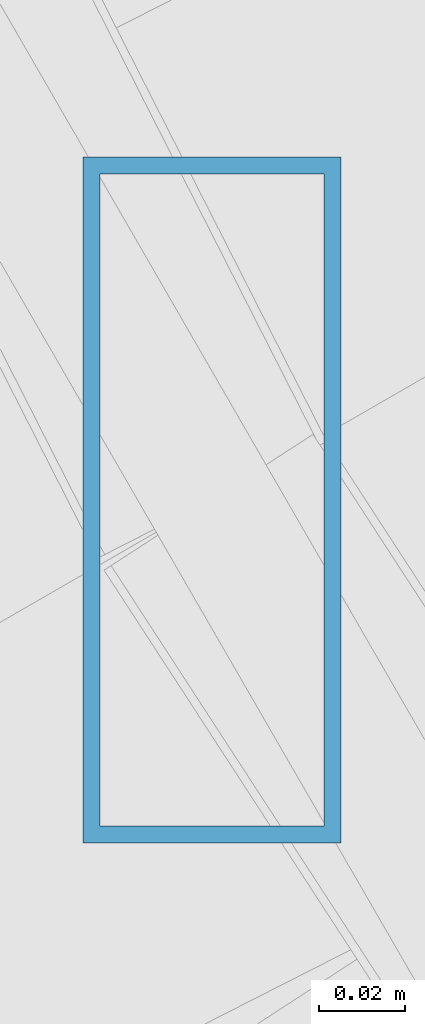
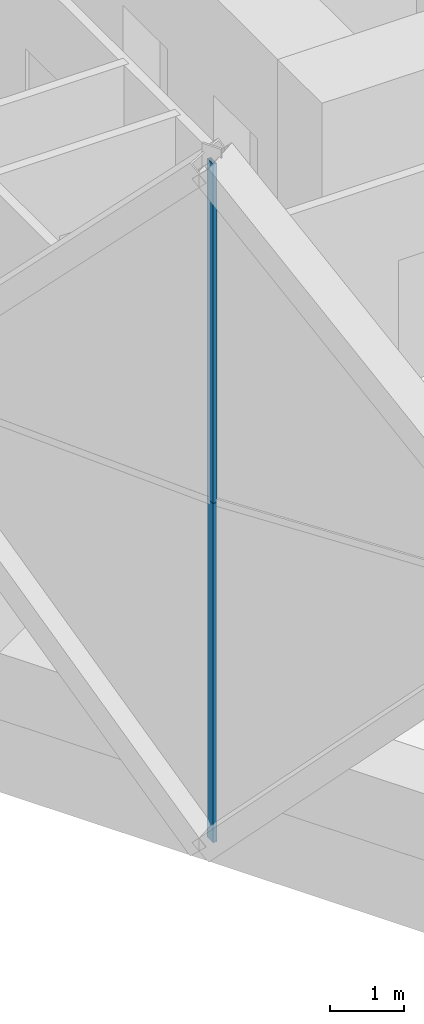
# One storey, part 3 of 22: 2 members, 1 element without a shape of its own.
"""IFC4 building model written with IfcOpenShell, lengths in metres."""

from ifc_helpers import new_model, si_unit, direction, frame, origin, origin_2d, place, context, subcontext, project, spatial, hollow_rectangle, extrude, material, material_profile, profile_set, type_object, element, aggregate, save


model = new_model("IFC4")

# Units and contexts
model_context = context("Model", 3, precision=1e-05, world=origin(), true_north=direction((0.0, 1.0)))
body_context = subcontext(model_context, "Body", "Model", "MODEL_VIEW")
ifc_project = project(units=[si_unit("LENGTHUNIT", "METRE"), si_unit("AREAUNIT", "SQUARE_METRE"), si_unit("VOLUMEUNIT", "CUBIC_METRE"), si_unit("PLANEANGLEUNIT", "RADIAN"), si_unit("MASSUNIT", "GRAM", prefix="KILO")], contexts=[model_context])

# Site, building, storey
site_placement = place(None, origin())
site = spatial("IfcSite", under=ifc_project, at=site_placement, CompositionType="ELEMENT")
building_placement = place(site_placement, origin())
building = spatial("IfcBuilding", under=site, at=building_placement, Name="Ostrander Bayou Hotel Tower", CompositionType="ELEMENT")
storey_placement = place(building_placement, frame((0.0, 0.0, 35.5)))
storey = spatial("IfcBuildingStorey", under=building, at=storey_placement, Name="L08", CompositionType="ELEMENT", Elevation=35.5)

# Curtain wall, members
ifc_material_1 = material(Name="Aluminium and clear glass", Category="aluminium")
curtain_wall_type = type_object("IfcCurtainWallType", Name="CW-LAT lattice glazing", PredefinedType="NOTDEFINED", material=ifc_material_1)
curtain_wall_placement = place(storey_placement, origin())
curtain_wall = element("IfcCurtainWall", 1, at=curtain_wall_placement, inside=storey, type_object=curtain_wall_type, Name="CW-LAT L08 SW 1", PredefinedType="NOTDEFINED")
ifc_material_2 = material(Name="Aluminium", Category="aluminium")
ifc_material_profile = material_profile(ifc_material_2, hollow_rectangle(XDim=0.06005859375, YDim=0.159912109375, WallThickness=0.00390625, at=origin_2d()))
ifc_profile_set = profile_set([ifc_material_profile], Name="Aluminium")
member_type = type_object("IfcMemberType", Name="CW-LA mullion 60 x 160 mm", PredefinedType="MULLION", material=ifc_profile_set)
member_1_placement = place(storey_placement, frame((-19.11328125, -11.034912109375, -0.60009765625), z_axis=(0.0, 0.0, 1.0), x_axis=(1.0, 0.0, 0.0)))
member_1 = element("IfcMember", 2, at=member_1_placement, type_object=member_type, Name="CW-LAT mullion 4", PredefinedType="MULLION", context=body_context, shape_type="SweptSolid", body=[
    extrude(hollow_rectangle(XDim=0.06005859375, YDim=0.159912109375, WallThickness=0.00390625, at=origin_2d()), origin(), (0.0, 0.0, 1.0), 5.625),
])
member_2_placement = place(storey_placement, frame((-19.11328125, -11.034912109375, 5.02490234375), z_axis=(0.0, 0.0, 1.0), x_axis=(1.0, 0.0, 0.0)))
member_2 = element("IfcMember", 3, at=member_2_placement, type_object=member_type, Name="CW-LAT mullion 5", PredefinedType="MULLION", context=body_context, shape_type="SweptSolid", body=[
    extrude(hollow_rectangle(XDim=0.06005859375, YDim=0.159912109375, WallThickness=0.00390625, at=origin_2d()), origin(), (0.0, 0.0, 1.0), 5.625),
])
aggregate(curtain_wall, [member_1, member_2])

save(model, "model.ifc")
